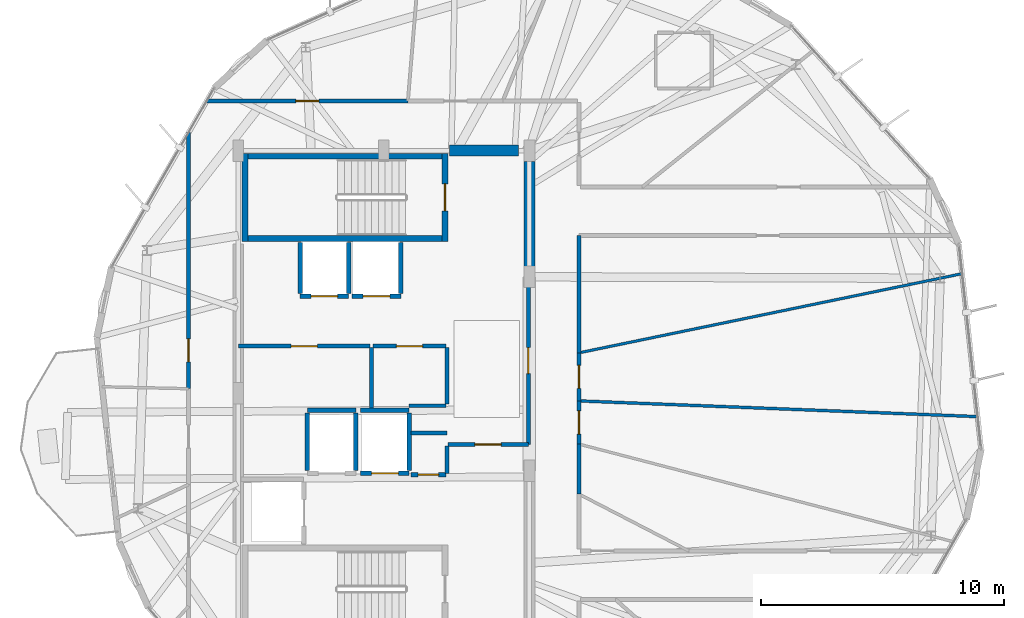
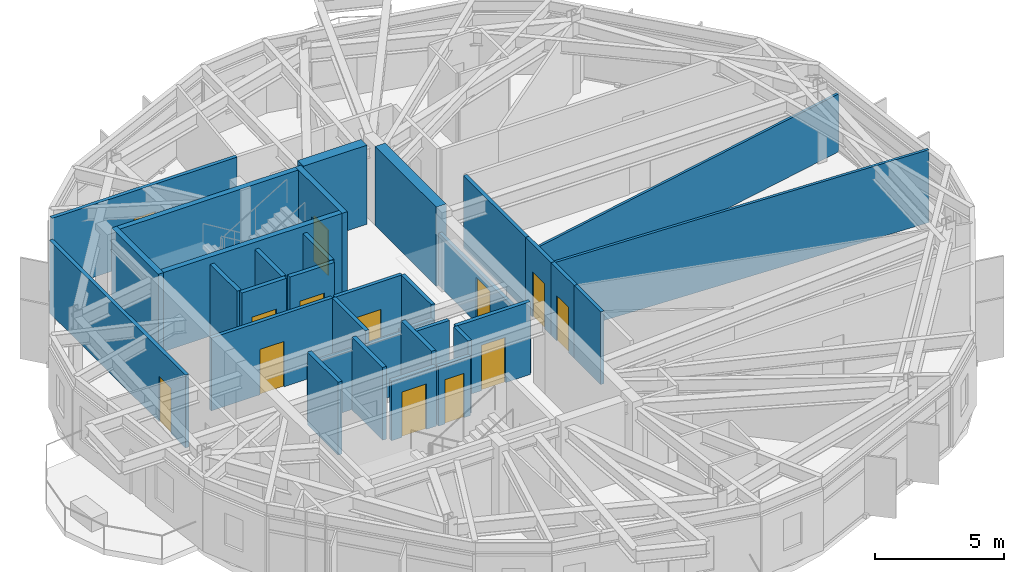
# One storey, part 18 of 23: 35 walls, 13 doors, 13 openings.
"""IFC4 building model written with IfcOpenShell, lengths in metres."""

from ifc_helpers import new_model, si_unit, direction, frame, frame_2d, origin, place, context, subcontext, project, spatial, rectangle, extrude, material, layer, layer_set, type_object, element, fill, save


model = new_model("IFC4")

# Units and contexts
model_context = context("Model", 3, precision=1e-05, world=origin(), true_north=direction((0.0, 1.0)))
body_context = subcontext(model_context, "Body", "Model", "MODEL_VIEW")
ifc_project = project(units=[si_unit("LENGTHUNIT", "METRE"), si_unit("AREAUNIT", "SQUARE_METRE"), si_unit("VOLUMEUNIT", "CUBIC_METRE"), si_unit("PLANEANGLEUNIT", "RADIAN"), si_unit("MASSUNIT", "GRAM", prefix="KILO")], contexts=[model_context])

# Site, building, storey
site_placement = place(None, origin())
site = spatial("IfcSite", under=ifc_project, at=site_placement, CompositionType="ELEMENT")
building_placement = place(site_placement, origin())
building = spatial("IfcBuilding", under=site, at=building_placement, Name="Soratama Intermodal Tower", CompositionType="ELEMENT")
storey_placement = place(building_placement, frame((0.0, 0.0, 253.75)))
storey = spatial("IfcBuildingStorey", under=building, at=storey_placement, Name="L64", CompositionType="ELEMENT", Elevation=253.75)

# Wall, opening, door
ifc_material_1 = material(Name="Fire-rated gypsum stud partition", Category="concrete")
ifc_layer_1 = layer(ifc_material_1, 0.159912109375)
ifc_layer_set_1 = layer_set([ifc_layer_1], Name="Fire-rated gypsum stud partition")
wall_type_1 = type_object("IfcWallType", Name="IW-PART-R160", PredefinedType="PARTITIONING", material=ifc_layer_set_1)
wall_1_placement = place(storey_placement, frame((30.550048828125, 25.18505859375, 0.0), z_axis=(0.0, 0.0, 1.0), x_axis=(0.0, 1.0, 0.0)))
wall_1 = element("IfcWall", 1, at=wall_1_placement, inside=storey, type_object=wall_type_1, Name="L64 Partition W-L64-TP008", PredefinedType="PARTITIONING", context=body_context, shape_type="SweptSolid", body=[
    extrude(rectangle(XDim=10.56005859375, YDim=0.159912109375, at=frame_2d((5.280029296875, 0.0))), origin(), (0.0, 0.0, 1.0), 3.449951171875),
])
opening_1_placement = place(wall_1_placement, frame((1.10888671875, 0.0, 0.0)))
opening_1 = element("IfcOpeningElement", 2, at=opening_1_placement, cuts=wall_1, Name="Opening ID-3", PredefinedType="OPENING", context=body_context, shape_type="SweptSolid", body=[
    extrude(rectangle(XDim=0.949951171875, YDim=2.14990234375, at=frame_2d((0.47509765625, 1.074951171875))), frame((0.0, 0.08984375, 0.0), z_axis=(0.0, -1.0, 0.0), x_axis=(1.0, 0.0, 0.0)), (0.0, 0.0, 1.0), 0.179931640625),
])
ifc_material_2 = material(Name="Solid hardwood acoustic door", Category="wood")
door_type_1 = type_object("IfcDoorType", Name="DR-ROOM-950", OperationType="NOTDEFINED", PredefinedType="DOOR", material=ifc_material_2)
door_1_placement = place(opening_1_placement, origin())
door_1 = element("IfcDoor", 3, at=door_1_placement, inside=storey, type_object=door_type_1, Name="L64 Door D-L64-TP005", OperationType="SINGLE_SWING_RIGHT", OverallHeight=2.14990234375, OverallWidth=0.949951171875, PredefinedType="DOOR", context=body_context, shape_type="SweptSolid", body=[
    extrude(rectangle(XDim=0.949951171875, YDim=2.14990234375, at=frame_2d((0.47509765625, 1.074951171875))), frame((0.0, 0.02490234375, 0.0), z_axis=(0.0, -1.0, 0.0), x_axis=(1.0, 0.0, 0.0)), (0.0, 0.0, 1.0), 0.050048828125),
])
fill(opening_1, door_1)

wall_2_placement = place(storey_placement, frame((31.298095703125, 37.050048828125, 0.0), z_axis=(0.0, 0.0, 1.0), x_axis=(1.0, 0.0, 0.0)))
wall_2 = element("IfcWall", 4, at=wall_2_placement, inside=storey, type_object=wall_type_1, Name="L64 Partition W-L64-TP011", PredefinedType="PARTITIONING", context=body_context, shape_type="SweptSolid", body=[
    extrude(rectangle(XDim=8.296875, YDim=0.159912109375, at=frame_2d((4.1484375, 0.0))), origin(), (0.0, 0.0, 1.0), 3.449951171875),
])
opening_2_placement = place(wall_2_placement, frame((3.674072265625, 0.0, 0.0)))
opening_2 = element("IfcOpeningElement", 5, at=opening_2_placement, cuts=wall_2, Name="Opening ID-3", PredefinedType="OPENING", context=body_context, shape_type="SweptSolid", body=[
    extrude(rectangle(XDim=0.949951171875, YDim=2.14990234375, at=frame_2d((0.47509765625, 1.074951171875))), frame((0.0, 0.08984375, 0.0), z_axis=(0.0, -1.0, 0.0), x_axis=(1.0, 0.0, 0.0)), (0.0, 0.0, 1.0), 0.179931640625),
])
door_2_placement = place(opening_2_placement, origin())
door_2 = element("IfcDoor", 6, at=door_2_placement, inside=storey, type_object=door_type_1, Name="L64 Door D-L64-TP006", OperationType="SINGLE_SWING_LEFT", OverallHeight=2.14990234375, OverallWidth=0.949951171875, PredefinedType="DOOR", context=body_context, shape_type="SweptSolid", body=[
    extrude(rectangle(XDim=0.949951171875, YDim=2.14990234375, at=frame_2d((0.47509765625, 1.074951171875))), frame((0.0, 0.02490234375, 0.0), z_axis=(0.0, -1.0, 0.0), x_axis=(1.0, 0.0, 0.0)), (0.0, 0.0, 1.0), 0.050048828125),
])
fill(opening_2, door_2)

wall_3_placement = place(storey_placement, frame((44.56005859375, 29.800048828125, 0.0), z_axis=(0.0, 0.0, 1.0), x_axis=(0.0, -1.0, 0.0)))
wall_3 = element("IfcWall", 7, at=wall_3_placement, inside=storey, type_object=wall_type_1, Name="L64 Partition W-L64-TP013", PredefinedType="PARTITIONING", context=body_context, shape_type="SweptSolid", body=[
    extrude(rectangle(XDim=6.91015625, YDim=0.159912109375, at=frame_2d((3.455078125, 0.0))), origin(), (0.0, 0.0, 1.0), 2.489990234375),
])
opening_3_placement = place(wall_3_placement, frame((2.9150390625, 0.0, 0.0)))
opening_3 = element("IfcOpeningElement", 8, at=opening_3_placement, cuts=wall_3, Name="Opening ID-1", PredefinedType="OPENING", context=body_context, shape_type="SweptSolid", body=[
    extrude(rectangle(XDim=1.080078125, YDim=2.14990234375, at=frame_2d((0.5400390625, 1.074951171875))), frame((0.0, 0.08984375, 0.0), z_axis=(0.0, -1.0, 0.0), x_axis=(1.0, 0.0, 0.0)), (0.0, 0.0, 1.0), 0.179931640625),
])
ifc_material_3 = material(Name="Solid hardwood acoustic door", Category="wood")
door_type_2 = type_object("IfcDoorType", Name="DR-LOB-FD60", OperationType="NOTDEFINED", PredefinedType="DOOR", material=ifc_material_3)
door_3_placement = place(opening_3_placement, origin())
door_3 = element("IfcDoor", 9, at=door_3_placement, inside=storey, type_object=door_type_2, Name="L64 Door D-L64-TP007", OperationType="SINGLE_SWING_RIGHT", OverallHeight=2.14990234375, OverallWidth=1.080078125, PredefinedType="DOOR", context=body_context, shape_type="SweptSolid", body=[
    extrude(rectangle(XDim=1.080078125, YDim=2.14990234375, at=frame_2d((0.5400390625, 1.074951171875))), frame((0.0, 0.02490234375, 0.0), z_axis=(0.0, -1.0, 0.0), x_axis=(1.0, 0.0, 0.0)), (0.0, 0.0, 1.0), 0.050048828125),
])
fill(opening_3, door_3)

wall_4_placement = place(storey_placement, frame((38.0400390625, 26.93994140625, 0.0), z_axis=(0.0, 0.0, 1.0), x_axis=(-1.0, 0.0, 0.0)))
wall_4 = element("IfcWall", 10, at=wall_4_placement, inside=storey, type_object=wall_type_1, Name="L64 Partition W-L64-TP015", PredefinedType="PARTITIONING", context=body_context, shape_type="SweptSolid", body=[
    extrude(rectangle(XDim=5.43994140625, YDim=0.159912109375, at=frame_2d((2.719970703125, 0.0))), origin(), (0.0, 0.0, 1.0), 3.449951171875),
])
opening_4_placement = place(wall_4_placement, frame((2.179931640625, 0.0, 0.0)))
opening_4 = element("IfcOpeningElement", 11, at=opening_4_placement, cuts=wall_4, Name="Opening ID-1", PredefinedType="OPENING", context=body_context, shape_type="SweptSolid", body=[
    extrude(rectangle(XDim=1.080078125, YDim=2.14990234375, at=frame_2d((0.5400390625, 1.074951171875))), frame((0.0, 0.08984375, 0.0), z_axis=(0.0, -1.0, 0.0), x_axis=(1.0, 0.0, 0.0)), (0.0, 0.0, 1.0), 0.179931640625),
])
door_4_placement = place(opening_4_placement, origin())
door_4 = element("IfcDoor", 12, at=door_4_placement, inside=storey, type_object=door_type_2, Name="L64 Door D-L64-TP008", OperationType="SINGLE_SWING_LEFT", OverallHeight=2.14990234375, OverallWidth=1.080078125, PredefinedType="DOOR", context=body_context, shape_type="SweptSolid", body=[
    extrude(rectangle(XDim=1.080078125, YDim=2.14990234375, at=frame_2d((0.5400390625, 1.074951171875))), frame((0.0, 0.02490234375, 0.0), z_axis=(0.0, -1.0, 0.0), x_axis=(1.0, 0.0, 0.0)), (0.0, 0.0, 1.0), 0.050048828125),
])
fill(opening_4, door_4)

# Wall
wall_5_placement = place(storey_placement, frame((46.64990234375, 31.5, 0.0), z_axis=(0.0, 0.0, 1.0), x_axis=(0.0, -1.0, 0.0)))
element("IfcWall", 13, at=wall_5_placement, inside=storey, type_object=wall_type_1, Name="L64 Partition W-L64-TP019", PredefinedType="PARTITIONING", context=body_context, shape_type="SweptSolid", body=[
    extrude(rectangle(XDim=4.8349609375, YDim=0.159912109375, at=frame_2d((2.41748046875, 0.0))), origin(), (0.0, 0.0, 1.0), 3.449951171875),
])

# Wall, opening, door
wall_6_placement = place(storey_placement, frame((41.159912109375, 26.93994140625, 0.0), z_axis=(0.0, 0.0, 1.0), x_axis=(-1.0, 0.0, 0.0)))
wall_6 = element("IfcWall", 14, at=wall_6_placement, inside=storey, type_object=wall_type_1, Name="L64 Partition W-L64-TP028", PredefinedType="PARTITIONING", context=body_context, shape_type="SweptSolid", body=[
    extrude(rectangle(XDim=3.0, YDim=0.159912109375, at=frame_2d((1.5, 0.0))), origin(), (0.0, 0.0, 1.0), 3.449951171875),
])
opening_5_placement = place(wall_6_placement, frame((0.9599609375, 0.0, 0.0)))
opening_5 = element("IfcOpeningElement", 15, at=opening_5_placement, cuts=wall_6, Name="Opening ID-1", PredefinedType="OPENING", context=body_context, shape_type="SweptSolid", body=[
    extrude(rectangle(XDim=1.080078125, YDim=2.14990234375, at=frame_2d((0.5400390625, 1.074951171875))), frame((0.0, 0.08984375, 0.0), z_axis=(0.0, -1.0, 0.0), x_axis=(1.0, 0.0, 0.0)), (0.0, 0.0, 1.0), 0.179931640625),
])
door_5_placement = place(opening_5_placement, origin())
door_5 = element("IfcDoor", 16, at=door_5_placement, inside=storey, type_object=door_type_2, Name="L64 Door D-L64-TP015", OperationType="SINGLE_SWING_RIGHT", OverallHeight=2.14990234375, OverallWidth=1.080078125, PredefinedType="DOOR", context=body_context, shape_type="SweptSolid", body=[
    extrude(rectangle(XDim=1.080078125, YDim=2.14990234375, at=frame_2d((0.5400390625, 1.074951171875))), frame((0.0, 0.02490234375, 0.0), z_axis=(0.0, -1.0, 0.0), x_axis=(1.0, 0.0, 0.0)), (0.0, 0.0, 1.0), 0.050048828125),
])
fill(opening_5, door_5)

# Walls
wall_7_placement = place(storey_placement, frame((38.10009765625, 26.8798828125, 0.0), z_axis=(0.0, 0.0, 1.0), x_axis=(0.0, -1.0, 0.0)))
element("IfcWall", 17, at=wall_7_placement, inside=storey, type_object=wall_type_1, Name="L64 Partition W-L64-TP030", PredefinedType="PARTITIONING", context=body_context, shape_type="SweptSolid", body=[
    extrude(rectangle(XDim=2.579833984375, YDim=0.159912109375, at=frame_2d((1.2900390625, 0.0))), origin(), (0.0, 0.0, 1.0), 3.449951171875),
])
wall_8_placement = place(storey_placement, frame((41.199951171875, 24.550048828125, 0.0), z_axis=(0.0, 0.0, 1.0), x_axis=(0.0, 1.0, 0.0)))
element("IfcWall", 18, at=wall_8_placement, inside=storey, type_object=wall_type_1, Name="L64 Partition W-L64-TP032", PredefinedType="PARTITIONING", context=body_context, shape_type="SweptSolid", body=[
    extrude(rectangle(XDim=2.329833984375, YDim=0.159912109375, at=frame_2d((1.1650390625, 0.0))), origin(), (0.0, 0.0, 1.0), 3.449951171875),
])
wall_9_placement = place(storey_placement, frame((46.64990234375, 22.90087890625, 0.0), z_axis=(0.0, 0.0, 1.0), x_axis=(0.0, -1.0, 0.0)))
element("IfcWall", 19, at=wall_9_placement, inside=storey, type_object=wall_type_1, Name="L64 Partition W-L64-TP042", PredefinedType="PARTITIONING", context=body_context, shape_type="SweptSolid", body=[
    extrude(rectangle(XDim=2.061767578125, YDim=0.159912109375, at=frame_2d((1.03076171875, 0.0))), origin(), (0.0, 0.0, 1.0), 3.449951171875),
])

# Wall, opening, door
wall_10_placement = place(storey_placement, frame((46.64990234375, 26.6650390625, 0.0), z_axis=(0.0, 0.0, 1.0), x_axis=(0.0, -1.0, 0.0)))
wall_10 = element("IfcWall", 20, at=wall_10_placement, inside=storey, type_object=wall_type_1, Name="L64 Partition W-L64-TP043", PredefinedType="PARTITIONING", context=body_context, shape_type="SweptSolid", body=[
    extrude(rectangle(XDim=1.98193359375, YDim=0.159912109375, at=frame_2d((0.990966796875, 0.0))), origin(), (0.0, 0.0, 1.0), 3.449951171875),
])
opening_6_placement = place(wall_10_placement, frame((0.51611328125, 0.0, 0.0)))
opening_6 = element("IfcOpeningElement", 21, at=opening_6_placement, cuts=wall_10, Name="Opening ID-3", PredefinedType="OPENING", context=body_context, shape_type="SweptSolid", body=[
    extrude(rectangle(XDim=0.949951171875, YDim=2.14990234375, at=frame_2d((0.47509765625, 1.074951171875))), frame((0.0, 0.08984375, 0.0), z_axis=(0.0, -1.0, 0.0), x_axis=(1.0, 0.0, 0.0)), (0.0, 0.0, 1.0), 0.179931640625),
])
door_6_placement = place(opening_6_placement, origin())
door_6 = element("IfcDoor", 22, at=door_6_placement, inside=storey, type_object=door_type_1, Name="L64 Door D-L64-TP019", OperationType="SINGLE_SWING_RIGHT", OverallHeight=2.14990234375, OverallWidth=0.949951171875, PredefinedType="DOOR", context=body_context, shape_type="SweptSolid", body=[
    extrude(rectangle(XDim=0.949951171875, YDim=2.14990234375, at=frame_2d((0.47509765625, 1.074951171875))), frame((0.0, 0.02490234375, 0.0), z_axis=(0.0, -1.0, 0.0), x_axis=(1.0, 0.0, 0.0)), (0.0, 0.0, 1.0), 0.050048828125),
])
fill(opening_6, door_6)

wall_11_placement = place(storey_placement, frame((46.64990234375, 24.68310546875, 0.0), z_axis=(0.0, 0.0, 1.0), x_axis=(0.0, -1.0, 0.0)))
wall_11 = element("IfcWall", 23, at=wall_11_placement, inside=storey, type_object=wall_type_1, Name="L64 Partition W-L64-TP046", PredefinedType="PARTITIONING", context=body_context, shape_type="SweptSolid", body=[
    extrude(rectangle(XDim=1.7822265625, YDim=0.159912109375, at=frame_2d((0.89111328125, 0.0))), origin(), (0.0, 0.0, 1.0), 3.449951171875),
])
opening_7_placement = place(wall_11_placement, frame((0.416015625, 0.0, 0.0)))
opening_7 = element("IfcOpeningElement", 24, at=opening_7_placement, cuts=wall_11, Name="Opening ID-3", PredefinedType="OPENING", context=body_context, shape_type="SweptSolid", body=[
    extrude(rectangle(XDim=0.949951171875, YDim=2.14990234375, at=frame_2d((0.47509765625, 1.074951171875))), frame((0.0, 0.08984375, 0.0), z_axis=(0.0, -1.0, 0.0), x_axis=(1.0, 0.0, 0.0)), (0.0, 0.0, 1.0), 0.179931640625),
])
door_7_placement = place(opening_7_placement, origin())
door_7 = element("IfcDoor", 25, at=door_7_placement, inside=storey, type_object=door_type_1, Name="L64 Door D-L64-TP021", OperationType="SINGLE_SWING_RIGHT", OverallHeight=2.14990234375, OverallWidth=0.949951171875, PredefinedType="DOOR", context=body_context, shape_type="SweptSolid", body=[
    extrude(rectangle(XDim=0.949951171875, YDim=2.14990234375, at=frame_2d((0.47509765625, 1.074951171875))), frame((0.0, 0.02490234375, 0.0), z_axis=(0.0, -1.0, 0.0), x_axis=(1.0, 0.0, 0.0)), (0.0, 0.0, 1.0), 0.050048828125),
])
fill(opening_7, door_7)

# Walls
wall_12_placement = place(storey_placement, frame((39.64990234375, 24.485107421875, 0.0), z_axis=(0.0, 0.0, 1.0), x_axis=(1.0, 0.0, 0.0)))
element("IfcWall", 26, at=wall_12_placement, inside=storey, type_object=wall_type_1, Name="L64 Partition W-L64-TP047", PredefinedType="PARTITIONING", context=body_context, shape_type="SweptSolid", body=[
    extrude(rectangle(XDim=1.510009765625, YDim=0.159912109375, at=frame_2d((0.7548828125, 0.0))), origin(), (0.0, 0.0, 1.0), 2.823974609375),
])
wall_13_placement = place(storey_placement, frame((41.199951171875, 23.360107421875, 0.0), z_axis=(0.0, 0.0, 1.0), x_axis=(-1.0, 0.0, 0.0)))
element("IfcWall", 27, at=wall_13_placement, inside=storey, type_object=wall_type_1, Name="L64 Partition W-L64-TP053", PredefinedType="PARTITIONING", context=body_context, shape_type="SweptSolid", body=[
    extrude(rectangle(XDim=1.47998046875, YDim=0.159912109375, at=frame_2d((0.739990234375, 0.0))), origin(), (0.0, 0.0, 1.0), 3.449951171875),
])

# Wall, opening, door
ifc_material_4 = material(Name="Fire-rated gypsum stud partition", Category="concrete")
ifc_layer_2 = layer(ifc_material_4, 0.169921875)
ifc_layer_set_2 = layer_set([ifc_layer_2], Name="Fire-rated gypsum stud partition")
wall_type_2 = type_object("IfcWallType", Name="IW-PART-R170", PredefinedType="PARTITIONING", material=ifc_layer_set_2)
wall_14_placement = place(storey_placement, frame((41.239990234375, 22.889892578125, 0.0), z_axis=(0.0, 0.0, 1.0), x_axis=(1.0, 0.0, 0.0)))
wall_14 = element("IfcWall", 28, at=wall_14_placement, inside=storey, type_object=wall_type_2, Name="L64 Partition W-L64-TP025", PredefinedType="PARTITIONING", context=body_context, shape_type="SweptSolid", body=[
    extrude(rectangle(XDim=3.320068359375, YDim=0.169921875, at=frame_2d((1.66015625, 0.0))), origin(), (0.0, 0.0, 1.0), 3.449951171875),
])
opening_8_placement = place(wall_14_placement, frame((1.1201171875, 0.0, 0.0)))
opening_8 = element("IfcOpeningElement", 29, at=opening_8_placement, cuts=wall_14, Name="Opening ID-0", PredefinedType="OPENING", context=body_context, shape_type="SweptSolid", body=[
    extrude(rectangle(XDim=1.080078125, YDim=2.14990234375, at=frame_2d((0.5400390625, 1.074951171875))), frame((0.0, 0.094970703125, 0.0), z_axis=(0.0, -1.0, 0.0), x_axis=(1.0, 0.0, 0.0)), (0.0, 0.0, 1.0), 0.18994140625),
])
ifc_material_5 = material(Name="Solid hardwood acoustic door", Category="wood")
door_type_3 = type_object("IfcDoorType", Name="DR-LOB-FD90", OperationType="NOTDEFINED", PredefinedType="DOOR", material=ifc_material_5)
door_8_placement = place(opening_8_placement, origin())
door_8 = element("IfcDoor", 30, at=door_8_placement, inside=storey, type_object=door_type_3, Name="L64 Door D-L64-TP014", OperationType="SINGLE_SWING_LEFT", OverallHeight=2.14990234375, OverallWidth=1.080078125, PredefinedType="DOOR", context=body_context, shape_type="SweptSolid", body=[
    extrude(rectangle(XDim=1.080078125, YDim=2.14990234375, at=frame_2d((0.5400390625, 1.074951171875))), frame((0.0, 0.02490234375, 0.0), z_axis=(0.0, -1.0, 0.0), x_axis=(1.0, 0.0, 0.0)), (0.0, 0.0, 1.0), 0.050048828125),
])
fill(opening_8, door_8)

wall_15_placement = place(storey_placement, frame((39.719970703125, 21.639892578125, 0.0), z_axis=(0.0, 0.0, 1.0), x_axis=(1.0, 0.0, 0.0)))
wall_15 = element("IfcWall", 31, at=wall_15_placement, inside=storey, type_object=wall_type_2, Name="L64 Partition W-L64-TP048", PredefinedType="PARTITIONING", context=body_context, shape_type="SweptSolid", body=[
    extrude(rectangle(XDim=1.43994140625, YDim=0.169921875, at=frame_2d((0.719970703125, 0.0))), origin(), (0.0, 0.0, 1.0), 2.823974609375),
])
opening_9_placement = place(wall_15_placement, frame((0.294921875, 0.0, 0.0)))
opening_9 = element("IfcOpeningElement", 32, at=opening_9_placement, cuts=wall_15, Name="Opening ID-4", PredefinedType="OPENING", context=body_context, shape_type="SweptSolid", body=[
    extrude(rectangle(XDim=0.85009765625, YDim=2.10009765625, at=frame_2d((0.425048828125, 1.050048828125))), frame((0.0, 0.094970703125, 0.0), z_axis=(0.0, -1.0, 0.0), x_axis=(1.0, 0.0, 0.0)), (0.0, 0.0, 1.0), 0.18994140625),
])
ifc_material_6 = material(Name="Solid hardwood acoustic door", Category="wood")
door_type_4 = type_object("IfcDoorType", Name="DR-BATH-850", OperationType="NOTDEFINED", PredefinedType="DOOR", material=ifc_material_6)
door_9_placement = place(opening_9_placement, origin())
door_9 = element("IfcDoor", 33, at=door_9_placement, inside=storey, type_object=door_type_4, Name="L64 Door D-L64-TP022", OperationType="SINGLE_SWING_LEFT", OverallHeight=2.10009765625, OverallWidth=0.85009765625, PredefinedType="DOOR", context=body_context, shape_type="SweptSolid", body=[
    extrude(rectangle(XDim=0.85009765625, YDim=2.10009765625, at=frame_2d((0.425048828125, 1.050048828125))), frame((0.0, 0.02490234375, 0.0), z_axis=(0.0, -1.0, 0.0), x_axis=(1.0, 0.0, 0.0)), (0.0, 0.0, 1.0), 0.050048828125),
])
fill(opening_9, door_9)

# Walls
wall_16_placement = place(storey_placement, frame((41.199951171875, 21.699951171875, 0.0), z_axis=(0.0, 0.0, 1.0), x_axis=(0.0, 1.0, 0.0)))
element("IfcWall", 34, at=wall_16_placement, inside=storey, type_object=wall_type_2, Name="L64 Partition W-L64-TP052", PredefinedType="PARTITIONING", context=body_context, shape_type="SweptSolid", body=[
    extrude(rectangle(XDim=1.1201171875, YDim=0.169921875, at=frame_2d((0.56005859375, 0.0))), origin(), (0.0, 0.0, 1.0), 3.449951171875),
])
ifc_material_7 = material(Name="Fire-rated gypsum stud partition", Category="concrete")
ifc_layer_3 = layer(ifc_material_7, 0.110107421875)
ifc_layer_set_3 = layer_set([ifc_layer_3], Name="Fire-rated gypsum stud partition")
wall_type_3 = type_object("IfcWallType", Name="IW-PART-S110", PredefinedType="PARTITIONING", material=ifc_layer_set_3)
wall_17_placement = place(storey_placement, frame((46.64990234375, 26.6650390625, 0.0), z_axis=(0.0, 0.0, 1.0), x_axis=(0.979310600043, 0.202362913212, 0.0)))
element("IfcWall", 35, at=wall_17_placement, inside=storey, type_object=wall_type_3, Name="L64 Partition W-L64-TP002", PredefinedType="PARTITIONING", context=body_context, shape_type="SweptSolid", body=[
    extrude(rectangle(XDim=16.1337890625, YDim=0.110107421875, at=frame_2d((8.06689453125, 0.0))), origin(), (0.0, 0.0, 1.0), 2.7451171875),
])
ifc_material_8 = material(Name="Fire-rated gypsum stud partition", Category="concrete")
ifc_layer_4 = layer(ifc_material_8, 0.1201171875)
ifc_layer_set_4 = layer_set([ifc_layer_4], Name="Fire-rated gypsum stud partition")
wall_type_4 = type_object("IfcWallType", Name="IW-PART-S120", PredefinedType="PARTITIONING", material=ifc_layer_set_4)
wall_18_placement = place(storey_placement, frame((63.089111328125, 24.034912109375, 0.0), z_axis=(0.0, 0.0, 1.0), x_axis=(-0.999223553945, 0.039399102038, 0.0)))
element("IfcWall", 36, at=wall_18_placement, inside=storey, type_object=wall_type_4, Name="L64 Partition W-L64-TP001", PredefinedType="PARTITIONING", context=body_context, shape_type="SweptSolid", body=[
    extrude(rectangle(XDim=16.451904296875, YDim=0.1201171875, at=frame_2d((8.22607421875, 0.0))), origin(), (0.0, 0.0, 1.0), 3.449951171875),
])
ifc_material_9 = material(Name="Concrete f'c 42 MPa", Category="concrete")
ifc_layer_5 = layer(ifc_material_9, 0.18505859375)
ifc_layer_set_5 = layer_set([ifc_layer_5], Name="Concrete f'c 42 MPa")
wall_type_5 = type_object("IfcWallType", Name="IW-SHAFT-185", PredefinedType="SOLIDWALL", material=ifc_layer_set_5)
wall_19_placement = place(storey_placement, frame((35.449951171875, 24.300048828125, 0.0), z_axis=(0.0, 0.0, 1.0), x_axis=(1.0, 0.0, 0.0)))
element("IfcWall", 37, at=wall_19_placement, inside=storey, type_object=wall_type_5, Name="L64 FFL-1 Hoistway Wall N", PredefinedType="SOLIDWALL", context=body_context, shape_type="SweptSolid", body=[
    extrude(rectangle(XDim=2.0, YDim=0.18505859375, at=frame_2d((1.0, 0.0))), origin(), (0.0, 0.0, 1.0), 2.823974609375),
])
for number, where, z_axis, x_axis, name in (
    (38, (35.449951171875, 21.81005859375, 0.0), (0.0, 0.0, 1.0), (0.0, 1.0, 0.0), "L64 FFL-1 Hoistway Wall W"),
    (39, (37.449951171875, 21.81005859375, 0.0), (0.0, 0.0, 1.0), (0.0, 1.0, 0.0), "L64 FFL-1 Hoistway Wall E"),
):
    element("IfcWall", number, at=place(storey_placement, frame(where, z_axis=z_axis, x_axis=x_axis)), inside=storey, type_object=wall_type_5, Name=name, PredefinedType="SOLIDWALL", context=body_context, shape_type="SweptSolid", body=[
        extrude(rectangle(XDim=2.3798828125, YDim=0.18505859375, at=frame_2d((1.18994140625, 0.0))), origin(), (0.0, 0.0, 1.0), 3.449951171875),
    ])

# Wall, opening, door
wall_20_placement = place(storey_placement, frame((37.64990234375, 21.699951171875, 0.0), z_axis=(0.0, 0.0, 1.0), x_axis=(1.0, 0.0, 0.0)))
wall_20 = element("IfcWall", 40, at=wall_20_placement, inside=storey, type_object=wall_type_5, Name="L64 FFL-2 Hoistway Wall S", PredefinedType="SOLIDWALL", context=body_context, shape_type="SweptSolid", body=[
    extrude(rectangle(XDim=2.0, YDim=0.18505859375, at=frame_2d((1.0, 0.0))), origin(), (0.0, 0.0, 1.0), 2.823974609375),
])
opening_10_placement = place(wall_20_placement, frame((0.449951171875, 0.0, 0.0)))
opening_10 = element("IfcOpeningElement", 41, at=opening_10_placement, cuts=wall_20, Name="Opening LD-1", PredefinedType="OPENING", context=body_context, shape_type="SweptSolid", body=[
    extrude(rectangle(XDim=1.10009765625, YDim=2.14990234375, at=frame_2d((0.550048828125, 1.074951171875))), frame((0.0, 0.1025390625, 0.0), z_axis=(0.0, -1.0, 0.0), x_axis=(1.0, 0.0, 0.0)), (0.0, 0.0, 1.0), 0.205078125),
])
ifc_material_10 = material(Name="Steel fire door", Category="steel")
door_type_5 = type_object("IfcDoorType", Name="DR-LIFT-SLIDE", OperationType="NOTDEFINED", PredefinedType="DOOR", material=ifc_material_10)
door_10_placement = place(opening_10_placement, origin())
door_10 = element("IfcDoor", 42, at=door_10_placement, inside=storey, type_object=door_type_5, Name="L64 FFL-2 Sliding Landing Door", OperationType="SLIDING_TO_LEFT", OverallHeight=2.14990234375, OverallWidth=1.10009765625, PredefinedType="DOOR", context=body_context, shape_type="SweptSolid", body=[
    extrude(rectangle(XDim=1.10009765625, YDim=2.14990234375, at=frame_2d((0.550048828125, 1.074951171875))), frame((0.0, 0.02490234375, 0.0), z_axis=(0.0, -1.0, 0.0), x_axis=(1.0, 0.0, 0.0)), (0.0, 0.0, 1.0), 0.050048828125),
])
fill(opening_10, door_10)

# Walls
wall_21_placement = place(storey_placement, frame((37.64990234375, 24.300048828125, 0.0), z_axis=(0.0, 0.0, 1.0), x_axis=(1.0, 0.0, 0.0)))
element("IfcWall", 43, at=wall_21_placement, inside=storey, type_object=wall_type_5, Name="L64 FFL-2 Hoistway Wall N", PredefinedType="SOLIDWALL", context=body_context, shape_type="SweptSolid", body=[
    extrude(rectangle(XDim=2.0, YDim=0.18505859375, at=frame_2d((1.0, 0.0))), origin(), (0.0, 0.0, 1.0), 2.823974609375),
])
wall_22_placement = place(storey_placement, frame((39.64990234375, 21.81005859375, 0.0), z_axis=(0.0, 0.0, 1.0), x_axis=(0.0, 1.0, 0.0)))
element("IfcWall", 44, at=wall_22_placement, inside=storey, type_object=wall_type_5, Name="L64 FFL-2 Hoistway Wall E", PredefinedType="SOLIDWALL", context=body_context, shape_type="SweptSolid", body=[
    extrude(rectangle(XDim=2.3798828125, YDim=0.18505859375, at=frame_2d((1.18994140625, 0.0))), origin(), (0.0, 0.0, 1.0), 3.449951171875),
])

# Wall, opening, door
wall_23_placement = place(storey_placement, frame((35.14990234375, 29.0, 0.0), z_axis=(0.0, 0.0, 1.0), x_axis=(1.0, 0.0, 0.0)))
wall_23 = element("IfcWall", 45, at=wall_23_placement, inside=storey, type_object=wall_type_5, Name="L64 PL-H1 Hoistway Wall S", PredefinedType="SOLIDWALL", context=body_context, shape_type="SweptSolid", body=[
    extrude(rectangle(XDim=2.0, YDim=0.18505859375, at=frame_2d((1.0, 0.0))), origin(), (0.0, 0.0, 1.0), 3.449951171875),
])
opening_11_placement = place(wall_23_placement, frame((0.449951171875, 0.0, 0.0)))
opening_11 = element("IfcOpeningElement", 46, at=opening_11_placement, cuts=wall_23, Name="Opening LD-1", PredefinedType="OPENING", context=body_context, shape_type="SweptSolid", body=[
    extrude(rectangle(XDim=1.10009765625, YDim=2.14990234375, at=frame_2d((0.550048828125, 1.074951171875))), frame((0.0, 0.1025390625, 0.0), z_axis=(0.0, -1.0, 0.0), x_axis=(1.0, 0.0, 0.0)), (0.0, 0.0, 1.0), 0.205078125),
])
door_11_placement = place(opening_11_placement, origin())
door_11 = element("IfcDoor", 47, at=door_11_placement, inside=storey, type_object=door_type_5, Name="L64 PL-H1 Sliding Landing Door", OperationType="SLIDING_TO_LEFT", OverallHeight=2.14990234375, OverallWidth=1.10009765625, PredefinedType="DOOR", context=body_context, shape_type="SweptSolid", body=[
    extrude(rectangle(XDim=1.10009765625, YDim=2.14990234375, at=frame_2d((0.550048828125, 1.074951171875))), frame((0.0, 0.02490234375, 0.0), z_axis=(0.0, -1.0, 0.0), x_axis=(1.0, 0.0, 0.0)), (0.0, 0.0, 1.0), 0.050048828125),
])
fill(opening_11, door_11)

# Walls
for number, where, z_axis, x_axis, name in (
    (48, (35.14990234375, 29.110107421875, 0.0), (0.0, 0.0, 1.0), (0.0, 1.0, 0.0), "L64 PL-H1 Hoistway Wall W"),
    (49, (37.14990234375, 29.110107421875, 0.0), (0.0, 0.0, 1.0), (0.0, 1.0, 0.0), "L64 PL-H1 Hoistway Wall E"),
):
    element("IfcWall", number, at=place(storey_placement, frame(where, z_axis=z_axis, x_axis=x_axis)), inside=storey, type_object=wall_type_5, Name=name, PredefinedType="SOLIDWALL", context=body_context, shape_type="SweptSolid", body=[
        extrude(rectangle(XDim=2.099853515625, YDim=0.18505859375, at=frame_2d((1.0498046875, 0.0))), origin(), (0.0, 0.0, 1.0), 3.449951171875),
    ])

# Wall, opening, door
wall_24_placement = place(storey_placement, frame((37.300048828125, 29.0, 0.0), z_axis=(0.0, 0.0, 1.0), x_axis=(1.0, 0.0, 0.0)))
wall_24 = element("IfcWall", 50, at=wall_24_placement, inside=storey, type_object=wall_type_5, Name="L64 PL-H2 Hoistway Wall S", PredefinedType="SOLIDWALL", context=body_context, shape_type="SweptSolid", body=[
    extrude(rectangle(XDim=2.0, YDim=0.18505859375, at=frame_2d((1.0, 0.0))), origin(), (0.0, 0.0, 1.0), 3.449951171875),
])
opening_12_placement = place(wall_24_placement, frame((0.449951171875, 0.0, 0.0)))
opening_12 = element("IfcOpeningElement", 51, at=opening_12_placement, cuts=wall_24, Name="Opening LD-1", PredefinedType="OPENING", context=body_context, shape_type="SweptSolid", body=[
    extrude(rectangle(XDim=1.10009765625, YDim=2.14990234375, at=frame_2d((0.550048828125, 1.074951171875))), frame((0.0, 0.1025390625, 0.0), z_axis=(0.0, -1.0, 0.0), x_axis=(1.0, 0.0, 0.0)), (0.0, 0.0, 1.0), 0.205078125),
])
door_12_placement = place(opening_12_placement, origin())
door_12 = element("IfcDoor", 52, at=door_12_placement, inside=storey, type_object=door_type_5, Name="L64 PL-H2 Sliding Landing Door", OperationType="SLIDING_TO_LEFT", OverallHeight=2.14990234375, OverallWidth=1.10009765625, PredefinedType="DOOR", context=body_context, shape_type="SweptSolid", body=[
    extrude(rectangle(XDim=1.10009765625, YDim=2.14990234375, at=frame_2d((0.550048828125, 1.074951171875))), frame((0.0, 0.02490234375, 0.0), z_axis=(0.0, -1.0, 0.0), x_axis=(1.0, 0.0, 0.0)), (0.0, 0.0, 1.0), 0.050048828125),
])
fill(opening_12, door_12)

# Walls
wall_25_placement = place(storey_placement, frame((39.300048828125, 29.110107421875, 0.0), z_axis=(0.0, 0.0, 1.0), x_axis=(0.0, 1.0, 0.0)))
element("IfcWall", 53, at=wall_25_placement, inside=storey, type_object=wall_type_5, Name="L64 PL-H2 Hoistway Wall E", PredefinedType="SOLIDWALL", context=body_context, shape_type="SweptSolid", body=[
    extrude(rectangle(XDim=2.099853515625, YDim=0.18505859375, at=frame_2d((1.0498046875, 0.0))), origin(), (0.0, 0.0, 1.0), 3.449951171875),
])
ifc_material_11 = material(Name="Concrete f'c 56 MPa", Category="concrete")
ifc_layer_6 = layer(ifc_material_11, 0.449951171875)
ifc_layer_set_6 = layer_set([ifc_layer_6], Name="Concrete f'c 56 MPa")
wall_type_6 = type_object("IfcWallType", Name="SW-CORE-450", PredefinedType="SHEAR", material=ifc_layer_set_6)
wall_26_placement = place(storey_placement, frame((41.300048828125, 35.0, 0.0), z_axis=(0.0, 0.0, 1.0), x_axis=(1.0, 0.0, 0.0)))
element("IfcWall", 54, at=wall_26_placement, inside=storey, type_object=wall_type_6, Name="L64 Core Shear Wall CW-NE", PredefinedType="SHEAR", context=body_context, shape_type="SweptSolid", body=[
    extrude(rectangle(XDim=2.849853515625, YDim=0.449951171875, at=frame_2d((1.4248046875, 0.0))), origin(), (0.0, 0.0, 1.0), 3.75),
])
wall_27_placement = place(storey_placement, frame((44.60009765625, 29.800048828125, 0.0), z_axis=(0.0, 0.0, 1.0), x_axis=(0.0, 1.0, 0.0)))
element("IfcWall", 55, at=wall_27_placement, inside=storey, type_object=wall_type_6, Name="L64 Core Shear Wall CW-EN", PredefinedType="SHEAR", context=body_context, shape_type="SweptSolid", body=[
    extrude(rectangle(XDim=4.75, YDim=0.449951171875, at=frame_2d((2.375, 0.0))), origin(), (0.0, 0.0, 1.0), 3.75),
])
ifc_material_12 = material(Name="Concrete f'c 56 MPa", Category="concrete")
ifc_layer_7 = layer(ifc_material_12, 0.239990234375)
ifc_layer_set_7 = layer_set([ifc_layer_7], Name="Concrete f'c 56 MPa")
wall_type_7 = type_object("IfcWallType", Name="SW-STAIR-240", PredefinedType="SHEAR", material=ifc_layer_set_7)
wall_28_placement = place(storey_placement, frame((32.8798828125, 31.260009765625, 0.0), z_axis=(0.0, 0.0, 1.0), x_axis=(0.0, 1.0, 0.0)))
element("IfcWall", 56, at=wall_28_placement, inside=storey, type_object=wall_type_7, Name="L64 ST-2 Shaft Shear Wall W", PredefinedType="SHEAR", context=body_context, shape_type="SweptSolid", body=[
    extrude(rectangle(XDim=3.6298828125, YDim=0.239990234375, at=frame_2d((1.81494140625, 0.0))), origin(), (0.0, 0.0, 1.0), 3.75),
])

# Wall, opening, door
wall_29_placement = place(storey_placement, frame((41.1201171875, 31.260009765625, 0.0), z_axis=(0.0, 0.0, 1.0), x_axis=(0.0, 1.0, 0.0)))
wall_29 = element("IfcWall", 57, at=wall_29_placement, inside=storey, type_object=wall_type_7, Name="L64 ST-2 Shaft Shear Wall E", PredefinedType="SHEAR", context=body_context, shape_type="SweptSolid", body=[
    extrude(rectangle(XDim=3.6298828125, YDim=0.239990234375, at=frame_2d((1.81494140625, 0.0))), origin(), (0.0, 0.0, 1.0), 3.75),
])
opening_13_placement = place(wall_29_placement, frame((1.2548828125, 0.0, 0.0)))
opening_13 = element("IfcOpeningElement", 58, at=opening_13_placement, cuts=wall_29, Name="Opening SD-1", PredefinedType="OPENING", context=body_context, shape_type="SweptSolid", body=[
    extrude(rectangle(XDim=1.1201171875, YDim=2.14990234375, at=frame_2d((0.56005859375, 1.074951171875))), frame((0.0, 0.1298828125, 0.0), z_axis=(0.0, -1.0, 0.0), x_axis=(1.0, 0.0, 0.0)), (0.0, 0.0, 1.0), 0.260009765625),
])
ifc_material_13 = material(Name="Steel fire door", Category="steel")
door_type_6 = type_object("IfcDoorType", Name="DR-STAIR-FD90", OperationType="NOTDEFINED", PredefinedType="DOOR", material=ifc_material_13)
door_13_placement = place(opening_13_placement, origin())
door_13 = element("IfcDoor", 59, at=door_13_placement, inside=storey, type_object=door_type_6, Name="L64 ST-2 Exit Stair Door", OperationType="SINGLE_SWING_RIGHT", OverallHeight=2.14990234375, OverallWidth=1.1201171875, PredefinedType="DOOR", context=body_context, shape_type="SweptSolid", body=[
    extrude(rectangle(XDim=1.1201171875, YDim=2.14990234375, at=frame_2d((0.56005859375, 1.074951171875))), frame((0.0, 0.02490234375, 0.0), z_axis=(0.0, -1.0, 0.0), x_axis=(1.0, 0.0, 0.0)), (0.0, 0.0, 1.0), 0.050048828125),
])
fill(opening_13, door_13)

# Walls
for number, where, z_axis, x_axis, name in (
    (60, (33.0, 31.3798828125, 0.0), (0.0, 0.0, 1.0), (1.0, 0.0, 0.0), "L64 ST-2 Shaft Shear Wall S"),
    (61, (33.0, 34.77001953125, 0.0), (0.0, 0.0, 1.0), (1.0, 0.0, 0.0), "L64 ST-2 Shaft Shear Wall N"),
):
    element("IfcWall", number, at=place(storey_placement, frame(where, z_axis=z_axis, x_axis=x_axis)), inside=storey, type_object=wall_type_7, Name=name, PredefinedType="SHEAR", context=body_context, shape_type="SweptSolid", body=[
        extrude(rectangle(XDim=8.0, YDim=0.239990234375, at=frame_2d((4.0, 0.0))), origin(), (0.0, 0.0, 1.0), 3.75),
    ])

save(model, "model.ifc")
